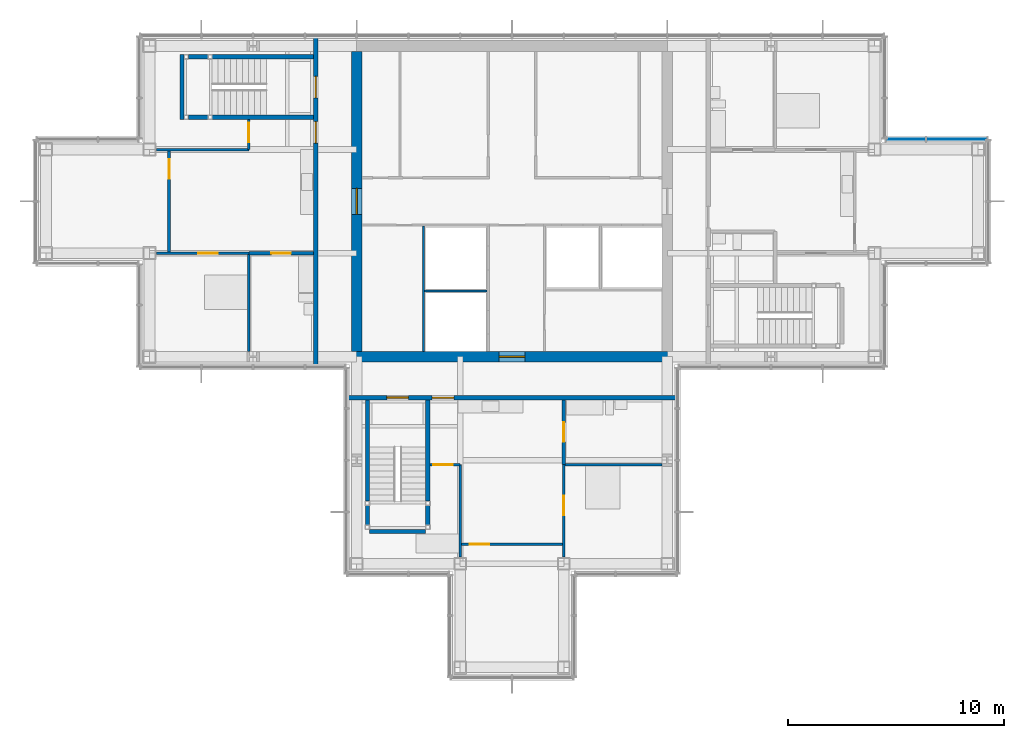
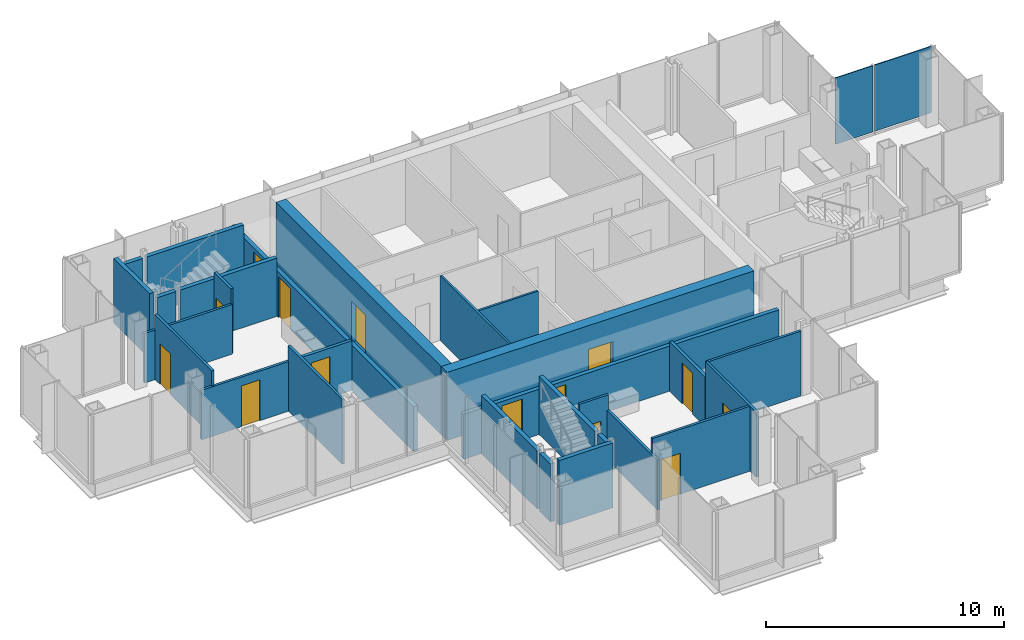
# One storey, part 10 of 15: 28 walls, 14 doors, 2 plates, 14 openings, 1 element without a shape of its own.
"""IFC4 building model written with IfcOpenShell, lengths in metres."""

from ifc_helpers import new_model, si_unit, direction, frame, frame_2d, origin, origin_2d, place, context, subcontext, project, spatial, rectangle, extrude, material, layer, layer_set, type_object, element, fill, aggregate, save


model = new_model("IFC4")

# Units and contexts
model_context = context("Model", 3, precision=1e-05, world=origin(), true_north=direction((0.0, 1.0)))
body_context = subcontext(model_context, "Body", "Model", "MODEL_VIEW")
ifc_project = project(units=[si_unit("LENGTHUNIT", "METRE"), si_unit("AREAUNIT", "SQUARE_METRE"), si_unit("VOLUMEUNIT", "CUBIC_METRE"), si_unit("PLANEANGLEUNIT", "RADIAN"), si_unit("MASSUNIT", "GRAM", prefix="KILO")], contexts=[model_context])

# Site, building, storey
site_placement = place(None, origin())
site = spatial("IfcSite", under=ifc_project, at=site_placement, CompositionType="ELEMENT")
building_placement = place(site_placement, origin())
building = spatial("IfcBuilding", under=site, at=building_placement, Name="Kvirike Care Tower", CompositionType="ELEMENT")
storey_placement = place(building_placement, frame((0.0, 0.0, 198.0)))
storey = spatial("IfcBuildingStorey", under=building, at=storey_placement, Name="L54", CompositionType="ELEMENT", Elevation=198.0)

# Curtain wall, plates
ifc_material_1 = material(Name="Anodised aluminium stick system", Category="aluminium")
curtain_wall_type = type_object("IfcCurtainWallType", Name="CW-D STICK CURTAIN WALL", PredefinedType="NOTDEFINED", material=ifc_material_1)
curtain_wall_placement = place(storey_placement, origin())
curtain_wall = element("IfcCurtainWall", 1, at=curtain_wall_placement, inside=storey, type_object=curtain_wall_type, Name="Curtain wall L54 face 5", PredefinedType="NOTDEFINED")
ifc_material_2 = material(Name="Tinted double glazed unit", Category="glass")
ifc_layer_1 = layer(ifc_material_2, 0.0439453125)
ifc_layer_set_1 = layer_set([ifc_layer_1], Name="TINTED VISION PANEL 44")
plate_type = type_object("IfcPlateType", Name="TINTED VISION PANEL 44", PredefinedType="CURTAIN_PANEL", material=ifc_layer_set_1)
plate_1_placement = place(storey_placement, frame((42.2236328125, 38.8798828125, 0.10009765625), z_axis=(0.0, 0.0, 1.0), x_axis=(-1.0, 0.0, 0.0)))
plate_1 = element("IfcPlate", 2, at=plate_1_placement, type_object=plate_type, Name="CW-D panel L54 face 5.1", PredefinedType="CURTAIN_PANEL", context=body_context, shape_type="SweptSolid", body=[
    extrude(rectangle(XDim=2.782470703125, YDim=0.0439453125, at=origin_2d()), origin(), (0.0, 0.0, 1.0), 3.39990234375),
])
plate_2_placement = place(storey_placement, frame((39.856201171875, 38.8798828125, 0.10009765625), z_axis=(0.0, 0.0, 1.0), x_axis=(-1.0, 0.0, 0.0)))
plate_2 = element("IfcPlate", 3, at=plate_2_placement, type_object=plate_type, Name="CW-D panel L54 face 5.2", PredefinedType="CURTAIN_PANEL", context=body_context, shape_type="SweptSolid", body=[
    extrude(rectangle(XDim=1.822509765625, YDim=0.0439453125, at=origin_2d()), origin(), (0.0, 0.0, 1.0), 3.39990234375),
])
aggregate(curtain_wall, [plate_1, plate_2])

# Wall, opening, door
ifc_material_3 = material(Name="Moisture-resistant board partition", Category="gypsum")
ifc_layer_2 = layer(ifc_material_3, 0.14990234375)
ifc_layer_set_2 = layer_set([ifc_layer_2], Name="BATHROOM WALL 150")
wall_type_1 = type_object("IfcWallType", Name="BATHROOM WALL 150", PredefinedType="PARTITIONING", material=ifc_layer_set_2)
wall_1_placement = place(storey_placement, frame((9.39990234375, 33.60009765625, 0.0), z_axis=(0.0, 0.0, 1.0), x_axis=(1.0, 0.0, 0.0)))
wall_1 = element("IfcWall", 4, at=wall_1_placement, inside=storey, type_object=wall_type_1, Name="Bathroom Wall 150 L54", PredefinedType="PARTITIONING", context=body_context, shape_type="SweptSolid", body=[
    extrude(rectangle(XDim=3.0, YDim=0.14990234375, at=frame_2d((1.5, 0.0))), origin(), (0.0, 0.0, 1.0), 2.550048828125),
])
opening_1_placement = place(wall_1_placement, frame((1.050048828125, 0.0, 0.0)))
opening_1 = element("IfcOpeningElement", 5, at=opening_1_placement, cuts=wall_1, Name="Opening 54-001", PredefinedType="OPENING", context=body_context, shape_type="SweptSolid", body=[
    extrude(rectangle(XDim=0.89990234375, YDim=2.10009765625, at=frame_2d((0.449951171875, 1.050048828125))), frame((0.0, 0.08544921875, 0.0), z_axis=(0.0, -1.0, 0.0), x_axis=(1.0, 0.0, 0.0)), (0.0, 0.0, 1.0), 0.1708984375),
])
ifc_material_4 = material(Name="Timber door set", Category="wood")
door_type_1 = type_object("IfcDoorType", Name="BATHROOM DOOR 900", OperationType="SINGLE_SWING_RIGHT", PredefinedType="DOOR", material=ifc_material_4)
door_1_placement = place(opening_1_placement, frame((0.89990234375, 0.0, 0.0), z_axis=(0.0, 0.0, 1.0), x_axis=(-1.0, 0.0, 0.0)))
door_1 = element("IfcDoor", 6, at=door_1_placement, inside=storey, type_object=door_type_1, Name="Bathroom door", OperationType="SINGLE_SWING_LEFT", OverallHeight=2.10009765625, OverallWidth=0.89990234375, PredefinedType="DOOR", context=body_context, shape_type="SweptSolid", body=[
    extrude(rectangle(XDim=0.89990234375, YDim=2.10009765625, at=frame_2d((0.449951171875, 1.050048828125))), frame((0.0, 0.02197265625, 0.0), z_axis=(0.0, -1.0, 0.0), x_axis=(1.0, 0.0, 0.0)), (0.0, 0.0, 1.0), 0.0439453125),
])
fill(opening_1, door_1)

wall_2_placement = place(storey_placement, frame((24.0, 23.800048828125, 0.0), z_axis=(0.0, 0.0, 1.0), x_axis=(0.0, 1.0, 0.0)))
wall_2 = element("IfcWall", 7, at=wall_2_placement, inside=storey, type_object=wall_type_1, Name="Bathroom Wall 150 L54", PredefinedType="PARTITIONING", context=body_context, shape_type="SweptSolid", body=[
    extrude(rectangle(XDim=3.0, YDim=0.14990234375, at=frame_2d((1.5, 0.0))), origin(), (0.0, 0.0, 1.0), 2.550048828125),
])
opening_2_placement = place(wall_2_placement, frame((1.050048828125, 0.0, 0.0)))
opening_2 = element("IfcOpeningElement", 8, at=opening_2_placement, cuts=wall_2, Name="Opening 54-007", PredefinedType="OPENING", context=body_context, shape_type="SweptSolid", body=[
    extrude(rectangle(XDim=0.89990234375, YDim=2.10009765625, at=frame_2d((0.449951171875, 1.050048828125))), frame((0.0, 0.08544921875, 0.0), z_axis=(0.0, -1.0, 0.0), x_axis=(1.0, 0.0, 0.0)), (0.0, 0.0, 1.0), 0.1708984375),
])
door_2_placement = place(opening_2_placement, frame((0.89990234375, 0.0, 0.0), z_axis=(0.0, 0.0, 1.0), x_axis=(-1.0, 0.0, 0.0)))
door_2 = element("IfcDoor", 9, at=door_2_placement, inside=storey, type_object=door_type_1, Name="Bathroom door", OperationType="SINGLE_SWING_RIGHT", OverallHeight=2.10009765625, OverallWidth=0.89990234375, PredefinedType="DOOR", context=body_context, shape_type="SweptSolid", body=[
    extrude(rectangle(XDim=0.89990234375, YDim=2.10009765625, at=frame_2d((0.449951171875, 1.050048828125))), frame((0.0, 0.02197265625, 0.0), z_axis=(0.0, -1.0, 0.0), x_axis=(1.0, 0.0, 0.0)), (0.0, 0.0, 1.0), 0.0439453125),
])
fill(opening_2, door_2)

ifc_material_5 = material(Name="Concrete C40/50", Category="concrete")
ifc_layer_3 = layer(ifc_material_5, 0.5)
ifc_layer_set_3 = layer_set([ifc_layer_3], Name="CORE WALL 500 C40-50")
wall_type_2 = type_object("IfcWallType", Name="CORE WALL 500 C40-50", PredefinedType="SHEAR", material=ifc_layer_set_3)
wall_3_placement = place(storey_placement, frame((14.14990234375, 28.800048828125, -0.169921875), z_axis=(0.0, 0.0, 1.0), x_axis=(1.0, 0.0, 0.0)))
wall_3 = element("IfcWall", 10, at=wall_3_placement, inside=storey, type_object=wall_type_2, Name="Core wall S L54", PredefinedType="SHEAR", context=body_context, shape_type="SweptSolid", body=[
    extrude(rectangle(XDim=14.900146484375, YDim=0.5, at=frame_2d((7.4501953125, 0.0))), origin(), (0.0, 0.0, 1.0), 3.5),
])
opening_3_placement = place(wall_3_placement, frame((6.85009765625, 0.0, 0.169921875)))
opening_3 = element("IfcOpeningElement", 11, at=opening_3_placement, cuts=wall_3, Name="Opening 54-033", PredefinedType="OPENING", context=body_context, shape_type="SweptSolid", body=[
    extrude(rectangle(XDim=1.199951171875, YDim=2.10009765625, at=frame_2d((0.60009765625, 1.050048828125))), frame((0.0, 0.260498046875, 0.0), z_axis=(0.0, -1.0, 0.0), x_axis=(1.0, 0.0, 0.0)), (0.0, 0.0, 1.0), 0.52099609375),
])
ifc_material_6 = material(Name="Timber door set", Category="wood")
door_type_2 = type_object("IfcDoorType", Name="CORE DOOR 1200", OperationType="SINGLE_SWING_LEFT", PredefinedType="DOOR", material=ifc_material_6)
door_3_placement = place(opening_3_placement, origin())
door_3 = element("IfcDoor", 12, at=door_3_placement, inside=storey, type_object=door_type_2, Name="Core door S L54", OperationType="SINGLE_SWING_LEFT", OverallHeight=2.10009765625, OverallWidth=1.199951171875, PredefinedType="DOOR", context=body_context, shape_type="SweptSolid", body=[
    extrude(rectangle(XDim=1.199951171875, YDim=2.10009765625, at=frame_2d((0.60009765625, 1.050048828125))), frame((0.0, 0.02685546875, 0.0), z_axis=(0.0, -1.0, 0.0), x_axis=(1.0, 0.0, 0.0)), (0.0, 0.0, 1.0), 0.053955078125),
])
fill(opening_3, door_3)

wall_4_placement = place(storey_placement, frame((14.39990234375, 42.949951171875, -0.169921875), z_axis=(0.0, 0.0, 1.0), x_axis=(0.0, -1.0, 0.0)))
wall_4 = element("IfcWall", 13, at=wall_4_placement, inside=storey, type_object=wall_type_2, Name="Core wall W L54", PredefinedType="SHEAR", context=body_context, shape_type="SweptSolid", body=[
    extrude(rectangle(XDim=13.89990234375, YDim=0.5, at=frame_2d((6.949951171875, 0.0))), origin(), (0.0, 0.0, 1.0), 3.5),
])
opening_4_placement = place(wall_4_placement, frame((6.35009765625, 0.0, 0.169921875)))
opening_4 = element("IfcOpeningElement", 14, at=opening_4_placement, cuts=wall_4, Name="Opening 54-034", PredefinedType="OPENING", context=body_context, shape_type="SweptSolid", body=[
    extrude(rectangle(XDim=1.199951171875, YDim=2.10009765625, at=frame_2d((0.60009765625, 1.050048828125))), frame((0.0, 0.260498046875, 0.0), z_axis=(0.0, -1.0, 0.0), x_axis=(1.0, 0.0, 0.0)), (0.0, 0.0, 1.0), 0.52099609375),
])
door_4_placement = place(opening_4_placement, origin())
door_4 = element("IfcDoor", 15, at=door_4_placement, inside=storey, type_object=door_type_2, Name="Core door W L54", OperationType="SINGLE_SWING_LEFT", OverallHeight=2.10009765625, OverallWidth=1.199951171875, PredefinedType="DOOR", context=body_context, shape_type="SweptSolid", body=[
    extrude(rectangle(XDim=1.199951171875, YDim=2.10009765625, at=frame_2d((0.60009765625, 1.050048828125))), frame((0.0, 0.02685546875, 0.0), z_axis=(0.0, -1.0, 0.0), x_axis=(1.0, 0.0, 0.0)), (0.0, 0.0, 1.0), 0.053955078125),
])
fill(opening_4, door_4)

# Wall, openings, doors
ifc_material_7 = material(Name="Plasterboard corridor wall", Category="gypsum")
ifc_layer_4 = layer(ifc_material_7, 0.199951171875)
ifc_layer_set_4 = layer_set([ifc_layer_4], Name="CORRIDOR WALL 200")
wall_type_3 = type_object("IfcWallType", Name="CORRIDOR WALL 200", PredefinedType="PARTITIONING", material=ifc_layer_set_4)
wall_5_placement = place(storey_placement, frame((12.5, 43.655029296875, 0.0), z_axis=(0.0, 0.0, 1.0), x_axis=(0.0, -1.0, 0.0)))
wall_5 = element("IfcWall", 16, at=wall_5_placement, inside=storey, type_object=wall_type_3, Name="Corridor Wall 200 L54", PredefinedType="PARTITIONING", context=body_context, shape_type="SweptSolid", body=[
    extrude(rectangle(XDim=15.31005859375, YDim=0.199951171875, at=frame_2d((7.655029296875, 0.0))), origin(), (0.0, 0.0, 1.0), 2.320068359375),
])
opening_5_placement = place(wall_5_placement, frame((1.85498046875, 0.0, 0.0)))
opening_5 = element("IfcOpeningElement", 17, at=opening_5_placement, cuts=wall_5, Name="Opening 54-005", PredefinedType="OPENING", context=body_context, shape_type="SweptSolid", body=[
    extrude(rectangle(XDim=1.0, YDim=2.10009765625, at=frame_2d((0.5, 1.050048828125))), frame((0.0, 0.110595703125, 0.0), z_axis=(0.0, -1.0, 0.0), x_axis=(1.0, 0.0, 0.0)), (0.0, 0.0, 1.0), 0.220947265625),
])
opening_6_placement = place(wall_5_placement, frame((3.955078125, 0.0, 0.0)))
opening_6 = element("IfcOpeningElement", 18, at=opening_6_placement, cuts=wall_5, Name="Opening 54-006", PredefinedType="OPENING", context=body_context, shape_type="SweptSolid", body=[
    extrude(rectangle(XDim=1.0, YDim=2.10009765625, at=frame_2d((0.5, 1.050048828125))), frame((0.0, 0.110595703125, 0.0), z_axis=(0.0, -1.0, 0.0), x_axis=(1.0, 0.0, 0.0)), (0.0, 0.0, 1.0), 0.220947265625),
])
ifc_material_8 = material(Name="Timber door set", Category="wood")
door_type_3 = type_object("IfcDoorType", Name="FLAT ENTRANCE DOOR 1000", OperationType="SINGLE_SWING_LEFT", PredefinedType="DOOR", material=ifc_material_8)
door_5_placement = place(opening_6_placement, frame((1.0, 0.0, 0.0), z_axis=(0.0, 0.0, 1.0), x_axis=(-1.0, 0.0, 0.0)))
door_5 = element("IfcDoor", 19, at=door_5_placement, inside=storey, type_object=door_type_3, Name="Two-room apartment entrance", OperationType="SINGLE_SWING_LEFT", OverallHeight=2.10009765625, OverallWidth=1.0, PredefinedType="DOOR", context=body_context, shape_type="SweptSolid", body=[
    extrude(rectangle(XDim=1.0, YDim=2.10009765625, at=frame_2d((0.5, 1.050048828125))), frame((0.0, 0.02685546875, 0.0), z_axis=(0.0, -1.0, 0.0), x_axis=(1.0, 0.0, 0.0)), (0.0, 0.0, 1.0), 0.053955078125),
])
fill(opening_6, door_5)
ifc_material_9 = material(Name="Timber door set", Category="wood")
door_type_4 = type_object("IfcDoorType", Name="STAIR DOOR 1000", OperationType="SINGLE_SWING_LEFT", PredefinedType="DOOR", material=ifc_material_9)
door_6_placement = place(opening_5_placement, frame((1.0, 0.0, 0.0), z_axis=(0.0, 0.0, 1.0), x_axis=(-1.0, 0.0, 0.0)))
door_6 = element("IfcDoor", 20, at=door_6_placement, inside=storey, type_object=door_type_4, Name="Stair 1 door", OperationType="SINGLE_SWING_LEFT", OverallHeight=2.10009765625, OverallWidth=1.0, PredefinedType="DOOR", context=body_context, shape_type="SweptSolid", body=[
    extrude(rectangle(XDim=1.0, YDim=2.10009765625, at=frame_2d((0.5, 1.050048828125))), frame((0.0, 0.031982421875, 0.0), z_axis=(0.0, -1.0, 0.0), x_axis=(1.0, 0.0, 0.0)), (0.0, 0.0, 1.0), 0.06396484375),
])
fill(opening_5, door_6)

wall_6_placement = place(storey_placement, frame((13.945068359375, 26.89990234375, 0.0), z_axis=(0.0, 0.0, 1.0), x_axis=(1.0, 0.0, 0.0)))
wall_6 = element("IfcWall", 21, at=wall_6_placement, inside=storey, type_object=wall_type_3, Name="Corridor Wall 200 L54", PredefinedType="PARTITIONING", context=body_context, shape_type="SweptSolid", body=[
    extrude(rectangle(XDim=15.309814453125, YDim=0.199951171875, at=frame_2d((7.65478515625, 0.0))), origin(), (0.0, 0.0, 1.0), 2.320068359375),
])
opening_7_placement = place(wall_6_placement, frame((1.85498046875, 0.0, 0.0)))
opening_7 = element("IfcOpeningElement", 22, at=opening_7_placement, cuts=wall_6, Name="Opening 54-011", PredefinedType="OPENING", context=body_context, shape_type="SweptSolid", body=[
    extrude(rectangle(XDim=1.0, YDim=2.10009765625, at=frame_2d((0.5, 1.050048828125))), frame((0.0, 0.110595703125, 0.0), z_axis=(0.0, -1.0, 0.0), x_axis=(1.0, 0.0, 0.0)), (0.0, 0.0, 1.0), 0.220947265625),
])
opening_8_placement = place(wall_6_placement, frame((3.955078125, 0.0, 0.0)))
opening_8 = element("IfcOpeningElement", 23, at=opening_8_placement, cuts=wall_6, Name="Opening 54-012", PredefinedType="OPENING", context=body_context, shape_type="SweptSolid", body=[
    extrude(rectangle(XDim=1.0, YDim=2.10009765625, at=frame_2d((0.5, 1.050048828125))), frame((0.0, 0.110595703125, 0.0), z_axis=(0.0, -1.0, 0.0), x_axis=(1.0, 0.0, 0.0)), (0.0, 0.0, 1.0), 0.220947265625),
])
door_7_placement = place(opening_8_placement, frame((1.0, 0.0, 0.0), z_axis=(0.0, 0.0, 1.0), x_axis=(-1.0, 0.0, 0.0)))
door_7 = element("IfcDoor", 24, at=door_7_placement, inside=storey, type_object=door_type_3, Name="Two-bedroom apartment entrance", OperationType="SINGLE_SWING_LEFT", OverallHeight=2.10009765625, OverallWidth=1.0, PredefinedType="DOOR", context=body_context, shape_type="SweptSolid", body=[
    extrude(rectangle(XDim=1.0, YDim=2.10009765625, at=frame_2d((0.5, 1.050048828125))), frame((0.0, 0.02685546875, 0.0), z_axis=(0.0, -1.0, 0.0), x_axis=(1.0, 0.0, 0.0)), (0.0, 0.0, 1.0), 0.053955078125),
])
fill(opening_8, door_7)
door_8_placement = place(opening_7_placement, frame((1.0, 0.0, 0.0), z_axis=(0.0, 0.0, 1.0), x_axis=(-1.0, 0.0, 0.0)))
door_8 = element("IfcDoor", 25, at=door_8_placement, inside=storey, type_object=door_type_4, Name="Stair 5 door", OperationType="SINGLE_SWING_LEFT", OverallHeight=2.10009765625, OverallWidth=1.0, PredefinedType="DOOR", context=body_context, shape_type="SweptSolid", body=[
    extrude(rectangle(XDim=1.0, YDim=2.10009765625, at=frame_2d((0.5, 1.050048828125))), frame((0.0, 0.031982421875, 0.0), z_axis=(0.0, -1.0, 0.0), x_axis=(1.0, 0.0, 0.0)), (0.0, 0.0, 1.0), 0.06396484375),
])
fill(opening_7, door_8)

# Wall, opening, door
ifc_material_10 = material(Name="Plasterboard partition", Category="gypsum")
ifc_layer_5 = layer(ifc_material_10, 0.1201171875)
ifc_layer_set_5 = layer_set([ifc_layer_5], Name="PARTITION 120")
wall_type_4 = type_object("IfcWallType", Name="PARTITION 120", PredefinedType="PARTITIONING", material=ifc_layer_set_5)
wall_7_placement = place(storey_placement, frame((9.39990234375, 39.800048828125, 0.0), z_axis=(0.0, 0.0, 1.0), x_axis=(0.0, -1.0, 0.0)))
wall_7 = element("IfcWall", 26, at=wall_7_placement, inside=storey, type_object=wall_type_4, Name="Partition 120 L54", PredefinedType="PARTITIONING", context=body_context, shape_type="SweptSolid", body=[
    extrude(rectangle(XDim=1.400146484375, YDim=0.1201171875, at=frame_2d((0.7001953125, 0.0))), origin(), (0.0, 0.0, 1.0), 3.330078125),
])
opening_9_placement = place(wall_7_placement, frame((0.14990234375, 0.0, 0.0)))
opening_9 = element("IfcOpeningElement", 27, at=opening_9_placement, cuts=wall_7, Name="Opening 54-002", PredefinedType="OPENING", context=body_context, shape_type="SweptSolid", body=[
    extrude(rectangle(XDim=0.89990234375, YDim=2.10009765625, at=frame_2d((0.449951171875, 1.050048828125))), frame((0.0, 0.070556640625, 0.0), z_axis=(0.0, -1.0, 0.0), x_axis=(1.0, 0.0, 0.0)), (0.0, 0.0, 1.0), 0.14111328125),
])
ifc_material_11 = material(Name="Timber door set", Category="wood")
door_type_5 = type_object("IfcDoorType", Name="INTERNAL DOOR 900", OperationType="SINGLE_SWING_LEFT", PredefinedType="DOOR", material=ifc_material_11)
door_9_placement = place(opening_9_placement, frame((0.89990234375, 0.0, 0.0), z_axis=(0.0, 0.0, 1.0), x_axis=(-1.0, 0.0, 0.0)))
door_9 = element("IfcDoor", 28, at=door_9_placement, inside=storey, type_object=door_type_5, Name="Apartment study door", OperationType="SINGLE_SWING_LEFT", OverallHeight=2.10009765625, OverallWidth=0.89990234375, PredefinedType="DOOR", context=body_context, shape_type="SweptSolid", body=[
    extrude(rectangle(XDim=0.89990234375, YDim=2.10009765625, at=frame_2d((0.449951171875, 1.050048828125))), frame((0.0, 0.02197265625, 0.0), z_axis=(0.0, -1.0, 0.0), x_axis=(1.0, 0.0, 0.0)), (0.0, 0.0, 1.0), 0.0439453125),
])
fill(opening_9, door_9)

wall_8_placement = place(storey_placement, frame((5.699951171875, 38.39990234375, 0.0), z_axis=(0.0, 0.0, 1.0), x_axis=(0.0, -1.0, 0.0)))
wall_8 = element("IfcWall", 29, at=wall_8_placement, inside=storey, type_object=wall_type_4, Name="Partition 120 L54", PredefinedType="PARTITIONING", context=body_context, shape_type="SweptSolid", body=[
    extrude(rectangle(XDim=4.7998046875, YDim=0.1201171875, at=frame_2d((2.39990234375, 0.0))), origin(), (0.0, 0.0, 1.0), 3.330078125),
])
opening_10_placement = place(wall_8_placement, frame((0.449951171875, 0.0, 0.0)))
opening_10 = element("IfcOpeningElement", 30, at=opening_10_placement, cuts=wall_8, Name="Opening 54-003", PredefinedType="OPENING", context=body_context, shape_type="SweptSolid", body=[
    extrude(rectangle(XDim=0.89990234375, YDim=2.10009765625, at=frame_2d((0.449951171875, 1.050048828125))), frame((0.0, 0.070556640625, 0.0), z_axis=(0.0, -1.0, 0.0), x_axis=(1.0, 0.0, 0.0)), (0.0, 0.0, 1.0), 0.14111328125),
])
door_10_placement = place(opening_10_placement, frame((0.89990234375, 0.0, 0.0), z_axis=(0.0, 0.0, 1.0), x_axis=(-1.0, 0.0, 0.0)))
door_10 = element("IfcDoor", 31, at=door_10_placement, inside=storey, type_object=door_type_5, Name="Apartment living room door", OperationType="SINGLE_SWING_LEFT", OverallHeight=2.10009765625, OverallWidth=0.89990234375, PredefinedType="DOOR", context=body_context, shape_type="SweptSolid", body=[
    extrude(rectangle(XDim=0.89990234375, YDim=2.10009765625, at=frame_2d((0.449951171875, 1.050048828125))), frame((0.0, 0.02197265625, 0.0), z_axis=(0.0, -1.0, 0.0), x_axis=(1.0, 0.0, 0.0)), (0.0, 0.0, 1.0), 0.0439453125),
])
fill(opening_10, door_10)

# Walls
wall_9_placement = place(storey_placement, frame((9.39990234375, 33.60009765625, 0.0), z_axis=(0.0, 0.0, 1.0), x_axis=(0.0, -1.0, 0.0)))
element("IfcWall", 32, at=wall_9_placement, inside=storey, type_object=wall_type_4, Name="Partition 120 L54", PredefinedType="PARTITIONING", context=body_context, shape_type="SweptSolid", body=[
    extrude(rectangle(XDim=4.552978515625, YDim=0.1201171875, at=frame_2d((2.2763671875, 0.0))), origin(), (0.0, 0.0, 1.0), 3.330078125),
])
wall_10_placement = place(storey_placement, frame((5.1201171875, 38.39990234375, 0.0), z_axis=(0.0, 0.0, 1.0), x_axis=(1.0, 0.0, 0.0)))
element("IfcWall", 33, at=wall_10_placement, inside=storey, type_object=wall_type_4, Name="Partition 120 L54", PredefinedType="PARTITIONING", context=body_context, shape_type="SweptSolid", body=[
    extrude(rectangle(XDim=4.27978515625, YDim=0.1201171875, at=frame_2d((2.139892578125, 0.0))), origin(), (0.0, 0.0, 1.0), 2.550048828125),
])

# Wall, opening, door
wall_11_placement = place(storey_placement, frame((5.1201171875, 33.60009765625, 0.0), z_axis=(0.0, 0.0, 1.0), x_axis=(1.0, 0.0, 0.0)))
wall_11 = element("IfcWall", 34, at=wall_11_placement, inside=storey, type_object=wall_type_4, Name="Partition 120 L54", PredefinedType="PARTITIONING", context=body_context, shape_type="SweptSolid", body=[
    extrude(rectangle(XDim=4.27978515625, YDim=0.1201171875, at=frame_2d((2.139892578125, 0.0))), origin(), (0.0, 0.0, 1.0), 2.550048828125),
])
opening_11_placement = place(wall_11_placement, frame((1.929931640625, 0.0, 0.0)))
opening_11 = element("IfcOpeningElement", 35, at=opening_11_placement, cuts=wall_11, Name="Opening 54-004", PredefinedType="OPENING", context=body_context, shape_type="SweptSolid", body=[
    extrude(rectangle(XDim=0.89990234375, YDim=2.10009765625, at=frame_2d((0.449951171875, 1.050048828125))), frame((0.0, 0.070556640625, 0.0), z_axis=(0.0, -1.0, 0.0), x_axis=(1.0, 0.0, 0.0)), (0.0, 0.0, 1.0), 0.14111328125),
])
door_11_placement = place(opening_11_placement, frame((0.89990234375, 0.0, 0.0), z_axis=(0.0, 0.0, 1.0), x_axis=(-1.0, 0.0, 0.0)))
door_11 = element("IfcDoor", 36, at=door_11_placement, inside=storey, type_object=door_type_5, Name="Connecting door", OperationType="SINGLE_SWING_RIGHT", OverallHeight=2.10009765625, OverallWidth=0.89990234375, PredefinedType="DOOR", context=body_context, shape_type="SweptSolid", body=[
    extrude(rectangle(XDim=0.89990234375, YDim=2.10009765625, at=frame_2d((0.449951171875, 1.050048828125))), frame((0.0, 0.02197265625, 0.0), z_axis=(0.0, -1.0, 0.0), x_axis=(1.0, 0.0, 0.0)), (0.0, 0.0, 1.0), 0.0439453125),
])
fill(opening_11, door_11)

wall_12_placement = place(storey_placement, frame((17.800048828125, 23.800048828125, 0.0), z_axis=(0.0, 0.0, 1.0), x_axis=(1.0, 0.0, 0.0)))
wall_12 = element("IfcWall", 37, at=wall_12_placement, inside=storey, type_object=wall_type_4, Name="Partition 120 L54", PredefinedType="PARTITIONING", context=body_context, shape_type="SweptSolid", body=[
    extrude(rectangle(XDim=1.39990234375, YDim=0.1201171875, at=frame_2d((0.699951171875, 0.0))), origin(), (0.0, 0.0, 1.0), 3.330078125),
])
opening_12_placement = place(wall_12_placement, frame((0.14990234375, 0.0, 0.0)))
opening_12 = element("IfcOpeningElement", 38, at=opening_12_placement, cuts=wall_12, Name="Opening 54-008", PredefinedType="OPENING", context=body_context, shape_type="SweptSolid", body=[
    extrude(rectangle(XDim=0.89990234375, YDim=2.10009765625, at=frame_2d((0.449951171875, 1.050048828125))), frame((0.0, 0.070556640625, 0.0), z_axis=(0.0, -1.0, 0.0), x_axis=(1.0, 0.0, 0.0)), (0.0, 0.0, 1.0), 0.14111328125),
])
door_12_placement = place(opening_12_placement, frame((0.89990234375, 0.0, 0.0), z_axis=(0.0, 0.0, 1.0), x_axis=(-1.0, 0.0, 0.0)))
door_12 = element("IfcDoor", 39, at=door_12_placement, inside=storey, type_object=door_type_5, Name="Apartment bedroom door", OperationType="SINGLE_SWING_LEFT", OverallHeight=2.10009765625, OverallWidth=0.89990234375, PredefinedType="DOOR", context=body_context, shape_type="SweptSolid", body=[
    extrude(rectangle(XDim=0.89990234375, YDim=2.10009765625, at=frame_2d((0.449951171875, 1.050048828125))), frame((0.0, 0.02197265625, 0.0), z_axis=(0.0, -1.0, 0.0), x_axis=(1.0, 0.0, 0.0)), (0.0, 0.0, 1.0), 0.0439453125),
])
fill(opening_12, door_12)

wall_13_placement = place(storey_placement, frame((19.199951171875, 20.10009765625, 0.0), z_axis=(0.0, 0.0, 1.0), x_axis=(1.0, 0.0, 0.0)))
wall_13 = element("IfcWall", 40, at=wall_13_placement, inside=storey, type_object=wall_type_4, Name="Partition 120 L54", PredefinedType="PARTITIONING", context=body_context, shape_type="SweptSolid", body=[
    extrude(rectangle(XDim=4.800048828125, YDim=0.1201171875, at=frame_2d((2.39990234375, 0.0))), origin(), (0.0, 0.0, 1.0), 3.330078125),
])
opening_13_placement = place(wall_13_placement, frame((0.449951171875, 0.0, 0.0)))
opening_13 = element("IfcOpeningElement", 41, at=opening_13_placement, cuts=wall_13, Name="Opening 54-009", PredefinedType="OPENING", context=body_context, shape_type="SweptSolid", body=[
    extrude(rectangle(XDim=0.89990234375, YDim=2.10009765625, at=frame_2d((0.449951171875, 1.050048828125))), frame((0.0, 0.070556640625, 0.0), z_axis=(0.0, -1.0, 0.0), x_axis=(1.0, 0.0, 0.0)), (0.0, 0.0, 1.0), 0.14111328125),
])
door_13_placement = place(opening_13_placement, frame((0.89990234375, 0.0, 0.0), z_axis=(0.0, 0.0, 1.0), x_axis=(-1.0, 0.0, 0.0)))
door_13 = element("IfcDoor", 42, at=door_13_placement, inside=storey, type_object=door_type_5, Name="Apartment living room door", OperationType="SINGLE_SWING_LEFT", OverallHeight=2.10009765625, OverallWidth=0.89990234375, PredefinedType="DOOR", context=body_context, shape_type="SweptSolid", body=[
    extrude(rectangle(XDim=0.89990234375, YDim=2.10009765625, at=frame_2d((0.449951171875, 1.050048828125))), frame((0.0, 0.02197265625, 0.0), z_axis=(0.0, -1.0, 0.0), x_axis=(1.0, 0.0, 0.0)), (0.0, 0.0, 1.0), 0.0439453125),
])
fill(opening_13, door_13)

# Walls
wall_14_placement = place(storey_placement, frame((24.0, 23.800048828125, 0.0), z_axis=(0.0, 0.0, 1.0), x_axis=(1.0, 0.0, 0.0)))
element("IfcWall", 43, at=wall_14_placement, inside=storey, type_object=wall_type_4, Name="Partition 120 L54", PredefinedType="PARTITIONING", context=body_context, shape_type="SweptSolid", body=[
    extrude(rectangle(XDim=4.552978515625, YDim=0.1201171875, at=frame_2d((2.2763671875, 0.0))), origin(), (0.0, 0.0, 1.0), 3.330078125),
])
wall_15_placement = place(storey_placement, frame((19.199951171875, 19.52001953125, 0.0), z_axis=(0.0, 0.0, 1.0), x_axis=(0.0, 1.0, 0.0)))
element("IfcWall", 44, at=wall_15_placement, inside=storey, type_object=wall_type_4, Name="Partition 120 L54", PredefinedType="PARTITIONING", context=body_context, shape_type="SweptSolid", body=[
    extrude(rectangle(XDim=4.280029296875, YDim=0.1201171875, at=frame_2d((2.14013671875, 0.0))), origin(), (0.0, 0.0, 1.0), 2.550048828125),
])

# Wall, opening, door
wall_16_placement = place(storey_placement, frame((24.0, 19.52001953125, 0.0), z_axis=(0.0, 0.0, 1.0), x_axis=(0.0, 1.0, 0.0)))
wall_16 = element("IfcWall", 45, at=wall_16_placement, inside=storey, type_object=wall_type_4, Name="Partition 120 L54", PredefinedType="PARTITIONING", context=body_context, shape_type="SweptSolid", body=[
    extrude(rectangle(XDim=4.280029296875, YDim=0.1201171875, at=frame_2d((2.14013671875, 0.0))), origin(), (0.0, 0.0, 1.0), 3.330078125),
])
opening_14_placement = place(wall_16_placement, frame((1.929931640625, 0.0, 0.0)))
opening_14 = element("IfcOpeningElement", 46, at=opening_14_placement, cuts=wall_16, Name="Opening 54-010", PredefinedType="OPENING", context=body_context, shape_type="SweptSolid", body=[
    extrude(rectangle(XDim=0.89990234375, YDim=2.10009765625, at=frame_2d((0.449951171875, 1.050048828125))), frame((0.0, 0.070556640625, 0.0), z_axis=(0.0, -1.0, 0.0), x_axis=(1.0, 0.0, 0.0)), (0.0, 0.0, 1.0), 0.14111328125),
])
door_14_placement = place(opening_14_placement, frame((0.89990234375, 0.0, 0.0), z_axis=(0.0, 0.0, 1.0), x_axis=(-1.0, 0.0, 0.0)))
door_14 = element("IfcDoor", 47, at=door_14_placement, inside=storey, type_object=door_type_5, Name="Connecting door", OperationType="SINGLE_SWING_RIGHT", OverallHeight=2.10009765625, OverallWidth=0.89990234375, PredefinedType="DOOR", context=body_context, shape_type="SweptSolid", body=[
    extrude(rectangle(XDim=0.89990234375, YDim=2.10009765625, at=frame_2d((0.449951171875, 1.050048828125))), frame((0.0, 0.02197265625, 0.0), z_axis=(0.0, -1.0, 0.0), x_axis=(1.0, 0.0, 0.0)), (0.0, 0.0, 1.0), 0.0439453125),
])
fill(opening_14, door_14)

# Walls
ifc_material_12 = material(Name="Gypsum shaft wall system", Category="gypsum")
ifc_layer_6 = layer(ifc_material_12, 0.10009765625)
ifc_layer_set_6 = layer_set([ifc_layer_6], Name="SHAFT WALL 100")
wall_type_5 = type_object("IfcWallType", Name="SHAFT WALL 100", PredefinedType="SOLIDWALL", material=ifc_layer_set_6)
wall_17_placement = place(storey_placement, frame((17.5, 29.050048828125, 0.0), z_axis=(0.0, 0.0, 1.0), x_axis=(0.0, 1.0, 0.0)))
element("IfcWall", 48, at=wall_17_placement, inside=storey, type_object=wall_type_5, Name="Shaft Wall 100 L54", PredefinedType="SOLIDWALL", context=body_context, shape_type="SweptSolid", body=[
    extrude(rectangle(XDim=5.800048828125, YDim=0.10009765625, at=frame_2d((2.89990234375, 0.0))), origin(), (0.0, 0.0, 1.0), 3.330078125),
])
wall_18_placement = place(storey_placement, frame((17.550048828125, 31.85009765625, 0.0), z_axis=(0.0, 0.0, 1.0), x_axis=(1.0, 0.0, 0.0)))
element("IfcWall", 49, at=wall_18_placement, inside=storey, type_object=wall_type_5, Name="Shaft Wall 100 L54", PredefinedType="SOLIDWALL", context=body_context, shape_type="SweptSolid", body=[
    extrude(rectangle(XDim=2.89990234375, YDim=0.10009765625, at=frame_2d((1.449951171875, 0.0))), origin(), (0.0, 0.0, 1.0), 3.330078125),
])
ifc_material_13 = material(Name="Concrete C40/50", Category="concrete")
ifc_layer_7 = layer(ifc_material_13, 0.199951171875)
ifc_layer_set_7 = layer_set([ifc_layer_7], Name="STAIR WALL 200")
wall_type_6 = type_object("IfcWallType", Name="STAIR WALL 200", PredefinedType="SOLIDWALL", material=ifc_layer_set_7)
wall_19_placement = place(storey_placement, frame((6.60009765625, 42.699951171875, 0.0), z_axis=(0.0, 0.0, 1.0), x_axis=(1.0, 0.0, 0.0)))
element("IfcWall", 50, at=wall_19_placement, inside=storey, type_object=wall_type_6, Name="Stair Wall 200 L54", PredefinedType="SOLIDWALL", context=body_context, shape_type="SweptSolid", body=[
    extrude(rectangle(XDim=0.89990234375, YDim=0.199951171875, at=frame_2d((0.449951171875, 0.0))), origin(), (0.0, 0.0, 1.0), 2.989990234375),
])
wall_20_placement = place(storey_placement, frame((7.699951171875, 42.699951171875, 0.0), z_axis=(0.0, 0.0, 1.0), x_axis=(1.0, 0.0, 0.0)))
element("IfcWall", 51, at=wall_20_placement, inside=storey, type_object=wall_type_6, Name="Stair Wall 200 L54", PredefinedType="SOLIDWALL", context=body_context, shape_type="SweptSolid", body=[
    extrude(rectangle(XDim=4.699951171875, YDim=0.199951171875, at=frame_2d((2.35009765625, 0.0))), origin(), (0.0, 0.0, 1.0), 2.989990234375),
])
wall_21_placement = place(storey_placement, frame((6.60009765625, 39.89990234375, 0.0), z_axis=(0.0, 0.0, 1.0), x_axis=(1.0, 0.0, 0.0)))
element("IfcWall", 52, at=wall_21_placement, inside=storey, type_object=wall_type_6, Name="Stair Wall 200 L54", PredefinedType="SOLIDWALL", context=body_context, shape_type="SweptSolid", body=[
    extrude(rectangle(XDim=0.89990234375, YDim=0.199951171875, at=frame_2d((0.449951171875, 0.0))), origin(), (0.0, 0.0, 1.0), 2.989990234375),
])
wall_22_placement = place(storey_placement, frame((7.699951171875, 39.89990234375, 0.0), z_axis=(0.0, 0.0, 1.0), x_axis=(1.0, 0.0, 0.0)))
element("IfcWall", 53, at=wall_22_placement, inside=storey, type_object=wall_type_6, Name="Stair Wall 200 L54", PredefinedType="SOLIDWALL", context=body_context, shape_type="SweptSolid", body=[
    extrude(rectangle(XDim=4.699951171875, YDim=0.199951171875, at=frame_2d((2.35009765625, 0.0))), origin(), (0.0, 0.0, 1.0), 2.989990234375),
])
wall_23_placement = place(storey_placement, frame((6.300048828125, 42.800048828125, 0.0), z_axis=(0.0, 0.0, 1.0), x_axis=(0.0, -1.0, 0.0)))
element("IfcWall", 54, at=wall_23_placement, inside=storey, type_object=wall_type_6, Name="Stair Wall 200 L54", PredefinedType="SOLIDWALL", context=body_context, shape_type="SweptSolid", body=[
    extrude(rectangle(XDim=3.0, YDim=0.199951171875, at=frame_2d((1.5, 0.0))), origin(), (0.0, 0.0, 1.0), 3.330078125),
])
wall_24_placement = place(storey_placement, frame((14.89990234375, 21.0, 0.0), z_axis=(0.0, 0.0, 1.0), x_axis=(0.0, 1.0, 0.0)))
element("IfcWall", 55, at=wall_24_placement, inside=storey, type_object=wall_type_6, Name="Stair Wall 200 L54", PredefinedType="SOLIDWALL", context=body_context, shape_type="SweptSolid", body=[
    extrude(rectangle(XDim=0.89990234375, YDim=0.199951171875, at=frame_2d((0.449951171875, 0.0))), origin(), (0.0, 0.0, 1.0), 2.989990234375),
])
wall_25_placement = place(storey_placement, frame((14.89990234375, 22.10009765625, 0.0), z_axis=(0.0, 0.0, 1.0), x_axis=(0.0, 1.0, 0.0)))
element("IfcWall", 56, at=wall_25_placement, inside=storey, type_object=wall_type_6, Name="Stair Wall 200 L54", PredefinedType="SOLIDWALL", context=body_context, shape_type="SweptSolid", body=[
    extrude(rectangle(XDim=4.699951171875, YDim=0.199951171875, at=frame_2d((2.35009765625, 0.0))), origin(), (0.0, 0.0, 1.0), 2.989990234375),
])
wall_26_placement = place(storey_placement, frame((17.699951171875, 21.0, 0.0), z_axis=(0.0, 0.0, 1.0), x_axis=(0.0, 1.0, 0.0)))
element("IfcWall", 57, at=wall_26_placement, inside=storey, type_object=wall_type_6, Name="Stair Wall 200 L54", PredefinedType="SOLIDWALL", context=body_context, shape_type="SweptSolid", body=[
    extrude(rectangle(XDim=0.89990234375, YDim=0.199951171875, at=frame_2d((0.449951171875, 0.0))), origin(), (0.0, 0.0, 1.0), 2.989990234375),
])
wall_27_placement = place(storey_placement, frame((17.699951171875, 22.10009765625, 0.0), z_axis=(0.0, 0.0, 1.0), x_axis=(0.0, 1.0, 0.0)))
element("IfcWall", 58, at=wall_27_placement, inside=storey, type_object=wall_type_6, Name="Stair Wall 200 L54", PredefinedType="SOLIDWALL", context=body_context, shape_type="SweptSolid", body=[
    extrude(rectangle(XDim=4.699951171875, YDim=0.199951171875, at=frame_2d((2.35009765625, 0.0))), origin(), (0.0, 0.0, 1.0), 2.989990234375),
])
wall_28_placement = place(storey_placement, frame((15.0, 20.699951171875, 0.0), z_axis=(0.0, 0.0, 1.0), x_axis=(1.0, 0.0, 0.0)))
element("IfcWall", 59, at=wall_28_placement, inside=storey, type_object=wall_type_6, Name="Stair Wall 200 L54", PredefinedType="SOLIDWALL", context=body_context, shape_type="SweptSolid", body=[
    extrude(rectangle(XDim=2.60009765625, YDim=0.199951171875, at=frame_2d((1.300048828125, 0.0))), origin(), (0.0, 0.0, 1.0), 3.330078125),
])

save(model, "model.ifc")
